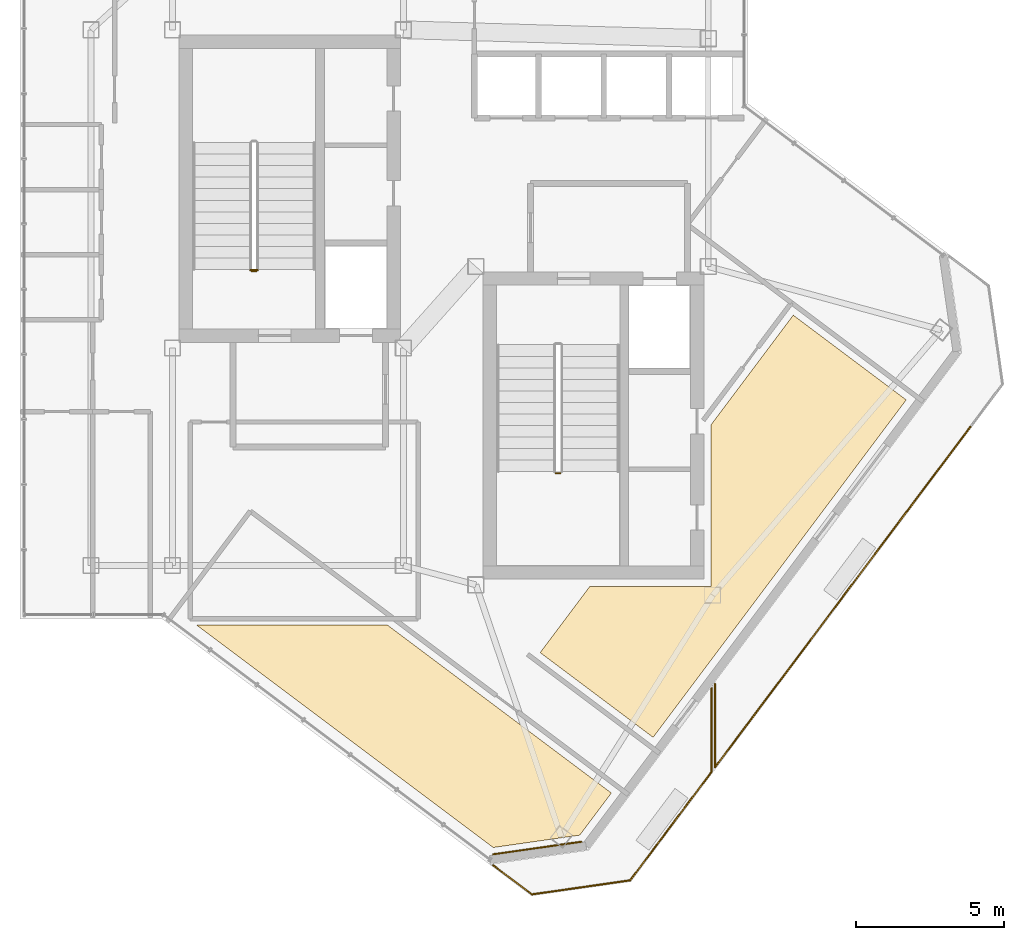
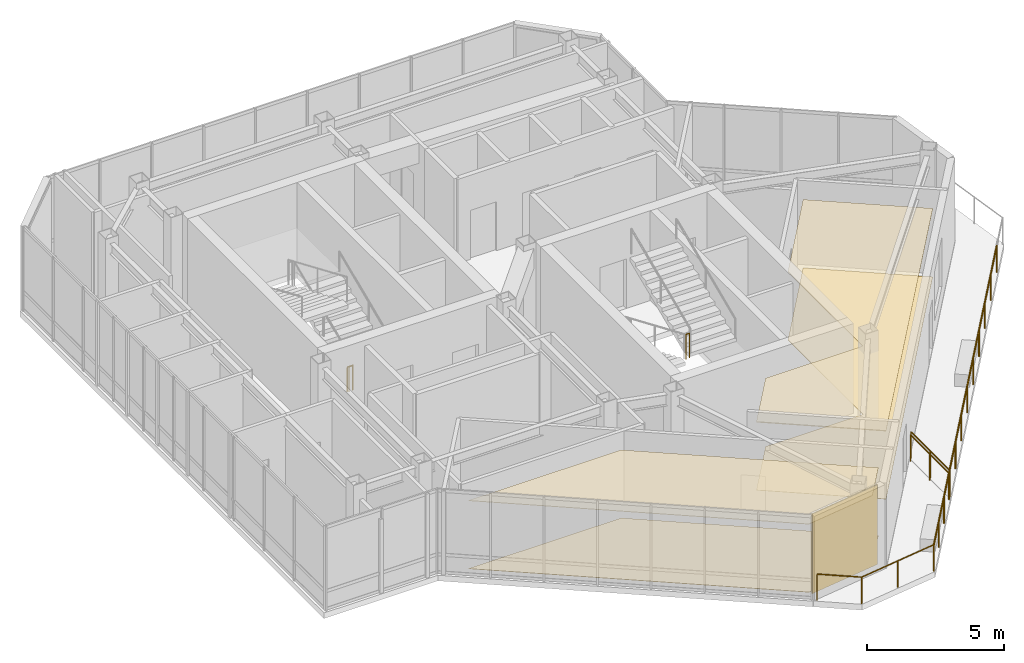
# One storey, part 21 of 23: 21 railings, 5 coverings.
"""IFC4 building model written with IfcOpenShell, lengths in metres."""

import ifcopenshell
import ifcopenshell.guid

model = None  # the IFC model being written
_history = None  # IfcOwnerHistory: only IFC2X3 demands one
_inside = {}  # id of a spatial element -> (the spatial element, [elements in it])
_under = {}  # id of a project, library or spatial element -> (it, [spatial elements below it])
_declared = {}  # id of a project -> (the project, [libraries it declares])
_typed = {}  # id of a type object -> (the type object, [elements of that type])
_made_of = {}  # id of a material, layer set ... -> (it, [elements and type objects made of it])


def new_model(schema):
    """Start an empty IFC model of exactly this schema.

    Asked for "IFC4X3", IfcOpenShell would pick the latest addendum, in which some entities
    have other attributes; the version numbers below select the first issue.
    IFC2X3 requires an IfcOwnerHistory on every rooted entity: one is made here for all.
    """
    global model, _history
    if schema == "IFC4X3":
        model = ifcopenshell.file(schema_version=(4, 3, 0, 0))
    else:
        model = ifcopenshell.file(schema=schema)
    _inside.clear()
    _under.clear()
    _declared.clear()
    _typed.clear()
    _made_of.clear()
    _history = None
    if model.schema == "IFC2X3":
        org = make("IfcOrganization", Name="unknown")
        user = make(
            "IfcPersonAndOrganization",
            ThePerson=make("IfcPerson", FamilyName="unknown"),
            TheOrganization=org,
        )
        app = make(
            "IfcApplication",
            ApplicationDeveloper=org,
            Version="unknown",
            ApplicationFullName="unknown",
            ApplicationIdentifier="unknown",
        )
        _history = make(
            "IfcOwnerHistory",
            OwningUser=user,
            OwningApplication=app,
            ChangeAction="ADDED",
            CreationDate=0,
        )
    return model


def make(cls, **values):
    """One entity of the class cls with the attributes given. An attribute that is None is left unset."""
    return model.create_entity(
        cls, **{name: value for name, value in values.items() if value is not None}
    )


def rooted(cls, **values):
    """An entity with a GlobalId (a new one), such as an element, a storey or a relation."""
    return make(cls, GlobalId=ifcopenshell.guid.new(), OwnerHistory=_history, **values)


def si_unit(unit_type, name, prefix=None):
    """IfcSIUnit, for example si_unit("LENGTHUNIT", "METRE", prefix="MILLI")."""
    return make("IfcSIUnit", UnitType=unit_type, Prefix=prefix, Name=name)


def assignment(units):
    """IfcUnitAssignment: the units of a project."""
    return None if units is None else make("IfcUnitAssignment", Units=units)


def point(xyz):
    """IfcCartesianPoint."""
    return None if xyz is None else make("IfcCartesianPoint", Coordinates=xyz)


def direction(xyz):
    """IfcDirection."""
    return None if xyz is None else make("IfcDirection", DirectionRatios=xyz)


def frame(location, z_axis=None, x_axis=None):
    """IfcAxis2Placement3D, a coordinate frame: its origin and axes. An axis left out is left unset."""
    return make(
        "IfcAxis2Placement3D",
        Location=point(location),
        Axis=direction(z_axis),
        RefDirection=direction(x_axis),
    )


def frame_2d(location, x_axis=None):
    """IfcAxis2Placement2D, a coordinate frame in the plane: its origin and x axis."""
    return make(
        "IfcAxis2Placement2D", Location=point(location), RefDirection=direction(x_axis)
    )


def origin():
    """The frame at (0, 0, 0) with its axes left unset."""
    return frame((0.0, 0.0, 0.0))


def origin_2d():
    """The frame at (0, 0) in the plane with its x axis left unset."""
    return frame_2d((0.0, 0.0))


def place(relative_to, where):
    """IfcLocalPlacement: puts the frame where relative to a parent placement (None: the world)."""
    return make(
        "IfcLocalPlacement", PlacementRelTo=relative_to, RelativePlacement=where
    )


def context(
    kind, dimensions, precision=None, world=None, true_north=None, identifier=None
):
    """IfcGeometricRepresentationContext, for example the 3D "Model" context."""
    return make(
        "IfcGeometricRepresentationContext",
        ContextIdentifier=identifier,
        ContextType=kind,
        CoordinateSpaceDimension=dimensions,
        Precision=precision,
        WorldCoordinateSystem=world,
        TrueNorth=true_north,
    )


def subcontext(parent, identifier, kind, view, scale=None):
    """IfcGeometricRepresentationSubContext, for example "Body" below "Model"."""
    return make(
        "IfcGeometricRepresentationSubContext",
        ContextIdentifier=identifier,
        ContextType=kind,
        ParentContext=parent,
        TargetScale=scale,
        TargetView=view,
    )


def project(units=None, contexts=None):
    """IfcProject with its units and contexts."""
    return rooted(
        "IfcProject",
        Name="project",
        RepresentationContexts=contexts,
        UnitsInContext=assignment(units),
    )


def spatial(cls, under=None, at=None, **own):
    """A site, building, storey or space (cls), placed at a placement, below another one or the project."""
    s = rooted(cls, ObjectPlacement=at, **own)
    if under is not None:
        _under.setdefault(under.id(), (under, []))[1].append(s)
    return s


def polyline(points):
    """IfcPolyline through the points."""
    return make("IfcPolyline", Points=[point(p) for p in points])


def profile(cls, at=None, kind="AREA", **sizes):
    """A parametric profile (cls). Its sizes go by their IFC names, for example OverallWidth=200.0."""
    return make(cls, ProfileType=kind, Position=at, **sizes)


def rectangle(**sizes):
    """IfcRectangleProfileDef."""
    return profile("IfcRectangleProfileDef", **sizes)


def circle(**sizes):
    """IfcCircleProfileDef."""
    return profile("IfcCircleProfileDef", **sizes)


def outline(outer, holes=None, kind="AREA"):
    """IfcArbitraryClosedProfileDef: a profile drawn as a closed curve; with holes, ...WithVoids."""
    if holes is None:
        return make("IfcArbitraryClosedProfileDef", ProfileType=kind, OuterCurve=outer)
    return make(
        "IfcArbitraryProfileDefWithVoids",
        ProfileType=kind,
        OuterCurve=outer,
        InnerCurves=holes,
    )


def extrude(swept, where, along, depth):
    """IfcExtrudedAreaSolid: the profile swept, set in the frame where, extruded along a direction by depth."""
    return make(
        "IfcExtrudedAreaSolid",
        SweptArea=swept,
        Position=where,
        ExtrudedDirection=direction(along),
        Depth=depth,
    )


def shape(context_of_items, identifier, shape_type, items):
    """IfcShapeRepresentation: the items that make up one representation, for example the "Body"."""
    return make(
        "IfcShapeRepresentation",
        ContextOfItems=context_of_items,
        RepresentationIdentifier=identifier,
        RepresentationType=shape_type,
        Items=items,
    )


def material(Name=None, Category=None):
    """IfcMaterial."""
    return make("IfcMaterial", Name=Name, Category=Category)


def layer(
    of_material, thickness, ventilated=None, Name=None, Category=None, Priority=None
):
    """IfcMaterialLayer: one layer of a wall or slab, of a material (None: an air gap)."""
    return make(
        "IfcMaterialLayer",
        Material=of_material,
        LayerThickness=thickness,
        IsVentilated=ventilated,
        Name=Name,
        Category=Category,
        Priority=Priority,
    )


def layer_set(layers, Name=None):
    """IfcMaterialLayerSet."""
    return make("IfcMaterialLayerSet", MaterialLayers=layers, LayerSetName=Name)


def made_of(thing, what):
    """Note that an element or type object is made of a material, layer set ...; save() writes the relation."""
    if what is not None:
        _made_of.setdefault(what.id(), (what, []))[1].append(thing)
    return thing


def type_object(cls, material=None, **own):
    """A type object (cls), such as IfcWallType, which elements share."""
    return made_of(rooted(cls, **own), material)


def element(
    cls,
    number,
    at=None,
    inside=None,
    cuts=None,
    type_object=None,
    material=None,
    context=None,
    identifier="Body",
    shape_type=None,
    held_by="IfcProductDefinitionShape",
    body=None,
    shapes=None,
    **own,
):
    """One element of the class cls, such as IfcWall. Its Tag is "e" and its number.

    at: its placement. inside: the storey or other place that contains it. cuts: it is an
    opening in that element (IfcRelVoidsElement). A single representation is given by context,
    identifier, shape_type and body (its items); several are given by shapes. held_by: the class
    of the entity that holds the representations. save() writes the other relations.
    """
    e = rooted(cls, Tag="e%d" % number, ObjectPlacement=at, **own)
    if body is not None:
        shapes = [shape(context, identifier, shape_type, body)]
    if shapes is not None:
        e.Representation = make(held_by, Representations=shapes)
    if inside is not None:
        _inside.setdefault(inside.id(), (inside, []))[1].append(e)
    if cuts is not None:
        rooted(
            "IfcRelVoidsElement", RelatingBuildingElement=cuts, RelatedOpeningElement=e
        )
    if type_object is not None:
        _typed.setdefault(type_object.id(), (type_object, []))[1].append(e)
    return made_of(e, material)


def aggregate(whole, parts):
    """IfcRelAggregates: a whole, such as a stair, and the parts it consists of."""
    return rooted("IfcRelAggregates", RelatingObject=whole, RelatedObjects=parts)


def save(model, path):
    """Write the relations noted so far, then the file.

    IfcRelAggregates (storeys below a building ...), IfcRelContainedInSpatialStructure (elements
    in a storey), IfcRelDefinesByType, IfcRelAssociatesMaterial and IfcRelDeclares: one each for
    every whole, place, type object, material and project.
    """
    for whole, parts in _under.values():
        aggregate(whole, parts)
    for where, things in _inside.values():
        rooted(
            "IfcRelContainedInSpatialStructure",
            RelatedElements=things,
            RelatingStructure=where,
        )
    for kind, things in _typed.values():
        rooted("IfcRelDefinesByType", RelatedObjects=things, RelatingType=kind)
    for what, things in _made_of.values():
        rooted("IfcRelAssociatesMaterial", RelatedObjects=things, RelatingMaterial=what)
    for by, libraries in _declared.values():
        rooted("IfcRelDeclares", RelatingContext=by, RelatedDefinitions=libraries)
    model.write(path)


model = new_model("IFC4")

# Units and contexts
model_context = context("Model", 3, precision=1e-05, world=origin(), true_north=direction((0.0, 1.0)))
body_context = subcontext(model_context, "Body", "Model", "MODEL_VIEW")
ifc_project = project(units=[si_unit("LENGTHUNIT", "METRE"), si_unit("AREAUNIT", "SQUARE_METRE"), si_unit("VOLUMEUNIT", "CUBIC_METRE"), si_unit("PLANEANGLEUNIT", "RADIAN"), si_unit("MASSUNIT", "GRAM", prefix="KILO")], contexts=[model_context])

# Site, building, storey
site_placement = place(None, origin())
site = spatial("IfcSite", under=ifc_project, at=site_placement, CompositionType="ELEMENT")
building_placement = place(site_placement, origin())
building = spatial("IfcBuilding", under=site, at=building_placement, Name="Hatsunagi Terrace Concourse", CompositionType="ELEMENT")
storey_placement = place(building_placement, frame((0.0, 0.0, 281.949951171875)))
storey = spatial("IfcBuildingStorey", under=building, at=storey_placement, Name="L74", CompositionType="ELEMENT", Elevation=281.949951171875)

# Coverings
ifc_material_1 = material(Name="Acoustic mineral board", Category="gypsum")
ifc_layer_1 = layer(ifc_material_1, 0.02001953125)
ifc_layer_set_1 = layer_set([ifc_layer_1], Name="AcousticMineralCeiling_20")
covering_type_1 = type_object("IfcCoveringType", Name="AcousticMineralCeiling_20", PredefinedType="CEILING", material=ifc_layer_set_1)
covering_1_placement = place(storey_placement, frame((0.0, 0.0, 3.030029296875)))
element("IfcCovering", 1, at=covering_1_placement, inside=storey, type_object=covering_type_1, Name="Suspended Ceiling L74-2", PredefinedType="CEILING", context=body_context, shape_type="SweptSolid", body=[
    extrude(outline(polyline([(26.361083984375, 23.19189453125), (36.382080078125, 15.676025390625), (39.30810546875, 16.093994140625), (40.3759765625, 17.51806640625), (32.81103515625, 23.19189453125), (26.361083984375, 23.19189453125)])), origin(), (0.0, 0.0, 1.0), 0.02001953125),
])
ifc_material_2 = material(Name="Hardwood timber", Category="wood")
ifc_layer_2 = layer(ifc_material_2, 0.014892578125)
ifc_layer_set_2 = layer_set([ifc_layer_2], Name="HardwoodTimberFlooring_15")
covering_type_2 = type_object("IfcCoveringType", Name="HardwoodTimberFlooring_15", PredefinedType="FLOORING", material=ifc_layer_set_2)
covering_2_placement = place(storey_placement, origin())
element("IfcCovering", 2, at=covering_2_placement, inside=storey, type_object=covering_type_2, Name="Finished Flooring L74-1", PredefinedType="FLOORING", context=body_context, shape_type="SweptSolid", body=[
    extrude(outline(polyline([(50.3359375, 30.798095703125), (46.52001953125, 33.659912109375), (43.75, 29.967041015625), (43.75, 24.489990234375), (39.64208984375, 24.489990234375), (37.969970703125, 22.260009765625), (41.785888671875, 19.39794921875), (50.3359375, 30.798095703125)])), origin(), (0.0, 0.0, 1.0), 0.01513671875),
])
covering_3_placement = place(storey_placement, origin())
element("IfcCovering", 3, at=covering_3_placement, inside=storey, type_object=covering_type_2, Name="Finished Flooring L74-2", PredefinedType="FLOORING", context=body_context, shape_type="SweptSolid", body=[
    extrude(outline(polyline([(26.361083984375, 23.19189453125), (36.382080078125, 15.676025390625), (39.30810546875, 16.093994140625), (40.3759765625, 17.51806640625), (32.81103515625, 23.19189453125), (26.361083984375, 23.19189453125)])), origin(), (0.0, 0.0, 1.0), 0.01513671875),
])

# Railings
ifc_material_3 = material(Name="Stainless steel", Category="steel")
ifc_layer_3 = layer(ifc_material_3, 0.06005859375)
ifc_layer_set_3 = layer_set([ifc_layer_3], Name="StairWellGuard_Tower2000")
railing_type_1 = type_object("IfcRailingType", Name="StairWellGuard_Tower2000", PredefinedType="BALUSTRADE", material=ifc_layer_set_3)
railing_1_placement = place(storey_placement, frame((28.3798828125, 35.14990234375, 0.0)))
element("IfcRailing", 4, at=railing_1_placement, inside=storey, type_object=railing_type_1, Name="L74 ST-A stair guard 4", PredefinedType="BALUSTRADE", context=body_context, shape_type="SweptSolid", body=[
    extrude(circle(Radius=0.02392578125, at=origin_2d()), frame((0.0, 0.0, 1.09619140625), z_axis=(-1.0, 0.0, 0.0), x_axis=(0.0, -1.0, 0.0)), (0.0, 0.0, 1.0), 0.14990234375),
    extrude(circle(Radius=0.02099609375, at=origin_2d()), origin(), (0.0, 0.0, 1.0), 1.072021484375),
    extrude(circle(Radius=0.02099609375, at=origin_2d()), frame((-0.14990234375, 0.0, 0.0)), (0.0, 0.0, 1.0), 1.072021484375),
])
railing_2_placement = place(storey_placement, frame((38.5, 28.320068359375, 2.0)))
element("IfcRailing", 5, at=railing_2_placement, inside=storey, type_object=railing_type_1, Name="L74 ST-B stair guard 2", PredefinedType="BALUSTRADE", context=body_context, shape_type="SweptSolid", body=[
    extrude(circle(Radius=0.02392578125, at=origin_2d()), frame((0.0, 0.0, 1.09619140625), z_axis=(1.0, 0.0, 0.0), x_axis=(0.0, 1.0, 0.0)), (0.0, 0.0, 1.0), 0.14990234375),
    extrude(circle(Radius=0.02099609375, at=origin_2d()), origin(), (0.0, 0.0, 1.0), 1.072021484375),
    extrude(circle(Radius=0.02099609375, at=origin_2d()), frame((0.14990234375, 0.0, 0.0)), (0.0, 0.0, 1.0), 1.072021484375),
])
ifc_material_4 = material(Name="Stainless Steel SUS316 Post-and-Rail Guard", Category="steel")
ifc_layer_4 = layer(ifc_material_4, 0.080078125)
ifc_layer_set_4 = layer_set([ifc_layer_4], Name="TerracePlantedGuardRail_1200")
railing_type_2 = type_object("IfcRailingType", Name="TerracePlantedGuardRail_1200", PredefinedType="GUARDRAIL", material=ifc_layer_set_4)
railing_3_placement = place(storey_placement, frame((28.179931640625, 35.179931640625, 0.0)))
element("IfcRailing", 6, at=railing_3_placement, inside=storey, type_object=railing_type_2, Name="Stair ST-A Well Closure Guard L74", PredefinedType="GUARDRAIL", context=body_context, shape_type="SweptSolid", body=[
    extrude(circle(Radius=0.02392578125, at=origin_2d()), frame((0.0, 0.0, 1.09619140625), z_axis=(1.0, 0.0, 0.0), x_axis=(0.0, 1.0, 0.0)), (0.0, 0.0, 1.0), 0.25),
    extrude(circle(Radius=0.02099609375, at=origin_2d()), origin(), (0.0, 0.0, 1.0), 1.072021484375),
    extrude(circle(Radius=0.02099609375, at=origin_2d()), frame((0.25, 0.0, 0.0)), (0.0, 0.0, 1.0), 1.072021484375),
])
railing_4_placement = place(storey_placement, frame((43.764892578125, 21.050048828125, 0.010009765625)))
element("IfcRailing", 7, at=railing_4_placement, inside=storey, type_object=railing_type_2, Name="Sky Garden Guardrail GRD-02 TER-L74-1-1 #1", PredefinedType="GUARDRAIL", context=body_context, shape_type="SweptSolid", body=[
    extrude(circle(Radius=0.02392578125, at=origin_2d()), frame((0.0, 0.0, 1.17578125), z_axis=(0.0, -1.0, 0.0), x_axis=(1.0, 0.0, 0.0)), (0.0, 0.0, 1.0), 1.402099609375),
    extrude(circle(Radius=0.02099609375, at=origin_2d()), origin(), (0.0, 0.0, 1.0), 1.15185546875),
    extrude(circle(Radius=0.02099609375, at=origin_2d()), frame((0.0, -1.402099609375, 0.0)), (0.0, 0.0, 1.0), 1.15185546875),
])
railing_5_placement = place(storey_placement, frame((43.764892578125, 19.638916015625, 0.010009765625)))
element("IfcRailing", 8, at=railing_5_placement, inside=storey, type_object=railing_type_2, Name="Sky Garden Guardrail GRD-02 TER-L74-1-1 #2", PredefinedType="GUARDRAIL", context=body_context, shape_type="SweptSolid", body=[
    extrude(circle(Radius=0.02392578125, at=origin_2d()), frame((0.0, 0.0, 1.17578125), z_axis=(0.0, -1.0, 0.0), x_axis=(1.0, 0.0, 0.0)), (0.0, 0.0, 1.0), 1.40185546875),
    extrude(circle(Radius=0.02099609375, at=origin_2d()), origin(), (0.0, 0.0, 1.0), 1.15185546875),
    extrude(circle(Radius=0.02099609375, at=origin_2d()), frame((0.0, -1.40185546875, 0.0)), (0.0, 0.0, 1.0), 1.15185546875),
])
railing_6_placement = place(storey_placement, frame((43.764892578125, 18.237060546875, 0.010009765625)))
element("IfcRailing", 9, at=railing_6_placement, inside=storey, type_object=railing_type_2, Name="Sky Garden Guardrail GRD-02 TER-L74-1-1 #3", PredefinedType="GUARDRAIL", context=body_context, shape_type="SweptSolid", body=[
    extrude(circle(Radius=0.02392578125, at=origin_2d()), frame((0.0, 0.0, 1.17578125), z_axis=(-0.599923145588, -0.800057635042, 0.0), x_axis=(0.800057635042, -0.599923145588, 0.0)), (0.0, 0.0, 1.0), 1.52490234375),
    extrude(circle(Radius=0.02099609375, at=origin_2d()), origin(), (0.0, 0.0, 1.0), 1.15185546875),
    extrude(circle(Radius=0.02099609375, at=origin_2d()), frame((-0.914794921875, -1.219970703125, 0.0)), (0.0, 0.0, 1.0), 1.15185546875),
])
railing_7_placement = place(storey_placement, frame((42.844970703125, 17.010009765625, 0.010009765625)))
element("IfcRailing", 10, at=railing_7_placement, inside=storey, type_object=railing_type_2, Name="Sky Garden Guardrail GRD-02 TER-L74-1-1 #4", PredefinedType="GUARDRAIL", context=body_context, shape_type="SweptSolid", body=[
    extrude(circle(Radius=0.02392578125, at=origin_2d()), frame((0.0, 0.0, 1.17578125), z_axis=(-0.600436591772, -0.79967236995, 0.0), x_axis=(0.79967236995, -0.600436591772, 0.0)), (0.0, 0.0, 1.0), 1.520751953125),
    extrude(circle(Radius=0.02099609375, at=origin_2d()), origin(), (0.0, 0.0, 1.0), 1.15185546875),
    extrude(circle(Radius=0.02099609375, at=origin_2d()), frame((-0.9130859375, -1.216064453125, 0.0)), (0.0, 0.0, 1.0), 1.15185546875),
])
railing_8_placement = place(storey_placement, frame((41.927001953125, 15.787109375, 0.010009765625)))
element("IfcRailing", 11, at=railing_8_placement, inside=storey, type_object=railing_type_2, Name="Sky Garden Guardrail GRD-02 TER-L74-1-1 #5", PredefinedType="GUARDRAIL", context=body_context, shape_type="SweptSolid", body=[
    extrude(circle(Radius=0.02392578125, at=origin_2d()), frame((0.0, 0.0, 1.17578125), z_axis=(-0.599948775822, -0.800038415571, 0.0), x_axis=(0.800038415571, -0.599948775822, 0.0)), (0.0, 0.0, 1.0), 1.525146484375),
    extrude(circle(Radius=0.02099609375, at=origin_2d()), origin(), (0.0, 0.0, 1.0), 1.15185546875),
    extrude(circle(Radius=0.02099609375, at=origin_2d()), frame((-0.9150390625, -1.22021484375, 0.0)), (0.0, 0.0, 1.0), 1.15185546875),
])
railing_9_placement = place(storey_placement, frame((41.011962890625, 14.56689453125, 0.010009765625)))
element("IfcRailing", 12, at=railing_9_placement, inside=storey, type_object=railing_type_2, Name="Sky Garden Guardrail GRD-02 TER-L74-1-1 #6", PredefinedType="GUARDRAIL", context=body_context, shape_type="SweptSolid", body=[
    extrude(circle(Radius=0.02392578125, at=origin_2d()), frame((0.0, 0.0, 1.17578125), z_axis=(-0.989929051357, -0.141564378566, 0.0), x_axis=(0.141564378566, -0.989929051357, 0.0)), (0.0, 0.0, 1.0), 1.6728515625),
    extrude(circle(Radius=0.02099609375, at=origin_2d()), origin(), (0.0, 0.0, 1.0), 1.15185546875),
    extrude(circle(Radius=0.02099609375, at=origin_2d()), frame((-1.656005859375, -0.23681640625, 0.0)), (0.0, 0.0, 1.0), 1.15185546875),
])
railing_10_placement = place(storey_placement, frame((39.34912109375, 14.3291015625, 0.010009765625)))
element("IfcRailing", 13, at=railing_10_placement, inside=storey, type_object=railing_type_2, Name="Sky Garden Guardrail GRD-02 TER-L74-1-1 #7", PredefinedType="GUARDRAIL", context=body_context, shape_type="SweptSolid", body=[
    extrude(circle(Radius=0.02392578125, at=origin_2d()), frame((0.0, 0.0, 1.17578125), z_axis=(-0.989908589236, -0.141707392031, 0.0), x_axis=(0.141707392031, -0.989908589236, 0.0)), (0.0, 0.0, 1.0), 1.6728515625),
    extrude(circle(Radius=0.02099609375, at=origin_2d()), origin(), (0.0, 0.0, 1.0), 1.15185546875),
    extrude(circle(Radius=0.02099609375, at=origin_2d()), frame((-1.656005859375, -0.237060546875, 0.0)), (0.0, 0.0, 1.0), 1.15185546875),
])
railing_11_placement = place(storey_placement, frame((37.693115234375, 14.092041015625, 0.010009765625)))
element("IfcRailing", 14, at=railing_11_placement, inside=storey, type_object=railing_type_2, Name="Sky Garden Guardrail GRD-02 TER-L74-1-1 #8", PredefinedType="GUARDRAIL", context=body_context, shape_type="SweptSolid", body=[
    extrude(circle(Radius=0.02392578125, at=origin_2d()), frame((0.0, 0.0, 1.17578125), z_axis=(-0.799464126631, 0.600713833892, 0.0), x_axis=(-0.600713833892, -0.799464126631, 0.0)), (0.0, 0.0, 1.0), 1.64111328125),
    extrude(circle(Radius=0.02099609375, at=origin_2d()), origin(), (0.0, 0.0, 1.0), 1.15185546875),
    extrude(circle(Radius=0.02099609375, at=origin_2d()), frame((-1.31201171875, 0.98583984375, 0.0)), (0.0, 0.0, 1.0), 1.15185546875),
])
railing_12_placement = place(storey_placement, frame((52.506103515625, 29.89111328125, 0.010009765625)))
element("IfcRailing", 15, at=railing_12_placement, inside=storey, type_object=railing_type_2, Name="Sky Garden Guardrail GRD-02 TER-L74-2-1 #5", PredefinedType="GUARDRAIL", context=body_context, shape_type="SweptSolid", body=[
    extrude(circle(Radius=0.02392578125, at=origin_2d()), frame((0.0, 0.0, 1.17578125), z_axis=(-0.599781875202, -0.800163547145, 0.0), x_axis=(0.800163547145, -0.599781875202, 0.0)), (0.0, 0.0, 1.0), 1.791015625),
    extrude(circle(Radius=0.02099609375, at=origin_2d()), origin(), (0.0, 0.0, 1.0), 1.15185546875),
    extrude(circle(Radius=0.02099609375, at=origin_2d()), frame((-1.07421875, -1.43310546875, 0.0)), (0.0, 0.0, 1.0), 1.15185546875),
])
for number, where, name in (
    (16, (51.427001953125, 28.451904296875, 0.010009765625), "Sky Garden Guardrail GRD-02 TER-L74-2-1 #6"),
    (17, (50.347900390625, 27.012939453125, 0.010009765625), "Sky Garden Guardrail GRD-02 TER-L74-2-1 #7"),
):
    element("IfcRailing", number, at=place(storey_placement, frame(where)), inside=storey, type_object=railing_type_2, Name=name, PredefinedType="GUARDRAIL", context=body_context, shape_type="SweptSolid", body=[
        extrude(circle(Radius=0.02392578125, at=origin_2d()), frame((0.0, 0.0, 1.17578125), z_axis=(-0.600021823712, -0.799983631751, 0.0), x_axis=(0.799983631751, -0.600021823712, 0.0)), (0.0, 0.0, 1.0), 1.789794921875),
        extrude(circle(Radius=0.02099609375, at=origin_2d()), origin(), (0.0, 0.0, 1.0), 1.15185546875),
        extrude(circle(Radius=0.02099609375, at=origin_2d()), frame((-1.073974609375, -1.431884765625, 0.0)), (0.0, 0.0, 1.0), 1.15185546875),
    ])
railing_13_placement = place(storey_placement, frame((49.26904296875, 25.573974609375, 0.010009765625)))
element("IfcRailing", 18, at=railing_13_placement, inside=storey, type_object=railing_type_2, Name="Sky Garden Guardrail GRD-02 TER-L74-2-1 #8", PredefinedType="GUARDRAIL", context=body_context, shape_type="SweptSolid", body=[
    extrude(circle(Radius=0.02392578125, at=origin_2d()), frame((0.0, 0.0, 1.17578125), z_axis=(-0.60037082097, -0.799721749941, 0.0), x_axis=(0.799721749941, -0.60037082097, 0.0)), (0.0, 0.0, 1.0), 1.79052734375),
    extrude(circle(Radius=0.02099609375, at=origin_2d()), origin(), (0.0, 0.0, 1.0), 1.15185546875),
    extrude(circle(Radius=0.02099609375, at=origin_2d()), frame((-1.074951171875, -1.431884765625, 0.0)), (0.0, 0.0, 1.0), 1.15185546875),
])
railing_14_placement = place(storey_placement, frame((48.18896484375, 24.135009765625, 0.010009765625)))
element("IfcRailing", 19, at=railing_14_placement, inside=storey, type_object=railing_type_2, Name="Sky Garden Guardrail GRD-02 TER-L74-2-1 #9", PredefinedType="GUARDRAIL", context=body_context, shape_type="SweptSolid", body=[
    extrude(circle(Radius=0.02392578125, at=origin_2d()), frame((0.0, 0.0, 1.17578125), z_axis=(-0.599956355999, -0.800032731141, 0.0), x_axis=(0.800032731141, -0.599956355999, 0.0)), (0.0, 0.0, 1.0), 1.7900390625),
    extrude(circle(Radius=0.02099609375, at=origin_2d()), origin(), (0.0, 0.0, 1.0), 1.15185546875),
    extrude(circle(Radius=0.02099609375, at=origin_2d()), frame((-1.073974609375, -1.43212890625, 0.0)), (0.0, 0.0, 1.0), 1.15185546875),
])
railing_15_placement = place(storey_placement, frame((47.110107421875, 22.696044921875, 0.010009765625)))
element("IfcRailing", 20, at=railing_15_placement, inside=storey, type_object=railing_type_2, Name="Sky Garden Guardrail GRD-02 TER-L74-2-1 #10", PredefinedType="GUARDRAIL", context=body_context, shape_type="SweptSolid", body=[
    extrude(circle(Radius=0.02392578125, at=origin_2d()), frame((0.0, 0.0, 1.17578125), z_axis=(-0.600043638645, -0.799967269157, 0.0), x_axis=(0.799967269157, -0.600043638645, 0.0)), (0.0, 0.0, 1.0), 1.790283203125),
    extrude(circle(Radius=0.02099609375, at=origin_2d()), origin(), (0.0, 0.0, 1.0), 1.15185546875),
    extrude(circle(Radius=0.02099609375, at=origin_2d()), frame((-1.07421875, -1.43212890625, 0.0)), (0.0, 0.0, 1.0), 1.15185546875),
])
railing_16_placement = place(storey_placement, frame((46.031005859375, 21.258056640625, 0.010009765625)))
element("IfcRailing", 21, at=railing_16_placement, inside=storey, type_object=railing_type_2, Name="Sky Garden Guardrail GRD-02 TER-L74-2-1 #11", PredefinedType="GUARDRAIL", context=body_context, shape_type="SweptSolid", body=[
    extrude(circle(Radius=0.02392578125, at=origin_2d()), frame((0.0, 0.0, 1.17578125), z_axis=(-0.599694587824, -0.800228968067, 0.0), x_axis=(0.800228968067, -0.599694587824, 0.0)), (0.0, 0.0, 1.0), 1.790771484375),
    extrude(circle(Radius=0.02099609375, at=origin_2d()), origin(), (0.0, 0.0, 1.0), 1.15185546875),
    extrude(circle(Radius=0.02099609375, at=origin_2d()), frame((-1.073974609375, -1.43310546875, 0.0)), (0.0, 0.0, 1.0), 1.15185546875),
])
railing_17_placement = place(storey_placement, frame((44.951904296875, 19.819091796875, 0.010009765625)))
element("IfcRailing", 22, at=railing_17_placement, inside=storey, type_object=railing_type_2, Name="Sky Garden Guardrail GRD-02 TER-L74-2-1 #12", PredefinedType="GUARDRAIL", context=body_context, shape_type="SweptSolid", body=[
    extrude(circle(Radius=0.02392578125, at=origin_2d()), frame((0.0, 0.0, 1.17578125), z_axis=(-0.599956474725, -0.800032642106, 0.0), x_axis=(0.800032642106, -0.599956474725, 0.0)), (0.0, 0.0, 1.0), 1.794921875),
    extrude(circle(Radius=0.02099609375, at=origin_2d()), origin(), (0.0, 0.0, 1.0), 1.15185546875),
    extrude(circle(Radius=0.02099609375, at=origin_2d()), frame((-1.076904296875, -1.43603515625, 0.0)), (0.0, 0.0, 1.0), 1.15185546875),
])
railing_18_placement = place(storey_placement, frame((43.875, 18.383056640625, 0.010009765625)))
element("IfcRailing", 23, at=railing_18_placement, inside=storey, type_object=railing_type_2, Name="Sky Garden Guardrail GRD-02 TER-L74-2-1 #13", PredefinedType="GUARDRAIL", context=body_context, shape_type="SweptSolid", body=[
    extrude(circle(Radius=0.02392578125, at=origin_2d()), frame((0.0, 0.0, 1.17578125), z_axis=(0.0, 1.0, 0.0), x_axis=(-1.0, 0.0, 0.0)), (0.0, 0.0, 1.0), 1.40185546875),
    extrude(circle(Radius=0.02099609375, at=origin_2d()), origin(), (0.0, 0.0, 1.0), 1.15185546875),
    extrude(circle(Radius=0.02099609375, at=origin_2d()), frame((0.0, 1.40185546875, 0.0)), (0.0, 0.0, 1.0), 1.15185546875),
])
railing_19_placement = place(storey_placement, frame((43.875, 19.7939453125, 0.010009765625)))
element("IfcRailing", 24, at=railing_19_placement, inside=storey, type_object=railing_type_2, Name="Sky Garden Guardrail GRD-02 TER-L74-2-1 #14", PredefinedType="GUARDRAIL", context=body_context, shape_type="SweptSolid", body=[
    extrude(circle(Radius=0.02392578125, at=origin_2d()), frame((0.0, 0.0, 1.17578125), z_axis=(0.0, 1.0, 0.0), x_axis=(-1.0, 0.0, 0.0)), (0.0, 0.0, 1.0), 1.402099609375),
    extrude(circle(Radius=0.02099609375, at=origin_2d()), origin(), (0.0, 0.0, 1.0), 1.15185546875),
    extrude(circle(Radius=0.02099609375, at=origin_2d()), frame((0.0, 1.402099609375, 0.0)), (0.0, 0.0, 1.0), 1.15185546875),
])

# Coverings
ifc_material_5 = material(Name="Unglazed Warm Terracotta Rainscreen Tile", Category="masonry")
ifc_layer_5 = layer(ifc_material_5, 0.044921875)
ifc_layer_set_5 = layer_set([ifc_layer_5], Name="TerracottaRainscreenCladding_45")
covering_type_3 = type_object("IfcCoveringType", Name="TerracottaRainscreenCladding_45", PredefinedType="CLADDING", material=ifc_layer_set_5)
covering_4_placement = place(storey_placement, frame((37.8779296875, 15.658935546875, 0.10009765625), z_axis=(0.0, 0.0, 1.0), x_axis=(-0.989973920543, -0.141250262458, 0.0)))
element("IfcCovering", 25, at=covering_4_placement, inside=storey, type_object=covering_type_3, Name="Terracotta Rainscreen Cladding L74-04", PredefinedType="CLADDING", context=body_context, shape_type="SweptSolid", body=[
    extrude(rectangle(XDim=3.0380859375, YDim=0.044921875, at=origin_2d()), origin(), (0.0, 0.0, 1.0), 3.550048828125),
])
ifc_material_6 = material(Name="Hardwood timber", Category="wood")
ifc_layer_6 = layer(ifc_material_6, 0.034912109375)
ifc_layer_set_6 = layer_set([ifc_layer_6], Name="TimberBaffleCeiling_35")
covering_type_4 = type_object("IfcCoveringType", Name="TimberBaffleCeiling_35", PredefinedType="CEILING", material=ifc_layer_set_6)
covering_5_placement = place(storey_placement, frame((0.0, 0.0, 3.030029296875)))
element("IfcCovering", 26, at=covering_5_placement, inside=storey, type_object=covering_type_4, Name="Suspended Ceiling L74-1", PredefinedType="CEILING", context=body_context, shape_type="SweptSolid", body=[
    extrude(outline(polyline([(50.3359375, 30.798095703125), (46.52001953125, 33.659912109375), (43.75, 29.967041015625), (43.75, 24.489990234375), (39.64208984375, 24.489990234375), (37.969970703125, 22.260009765625), (41.785888671875, 19.39794921875), (50.3359375, 30.798095703125)])), origin(), (0.0, 0.0, 1.0), 0.034912109375),
])

save(model, "model.ifc")
